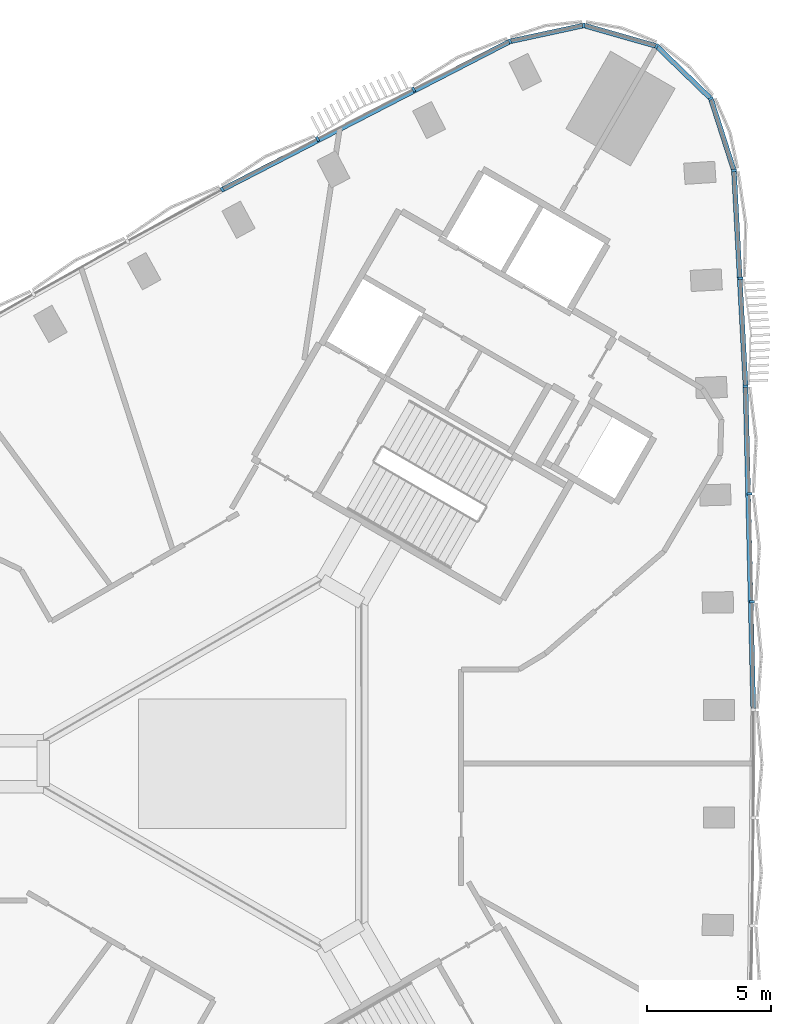
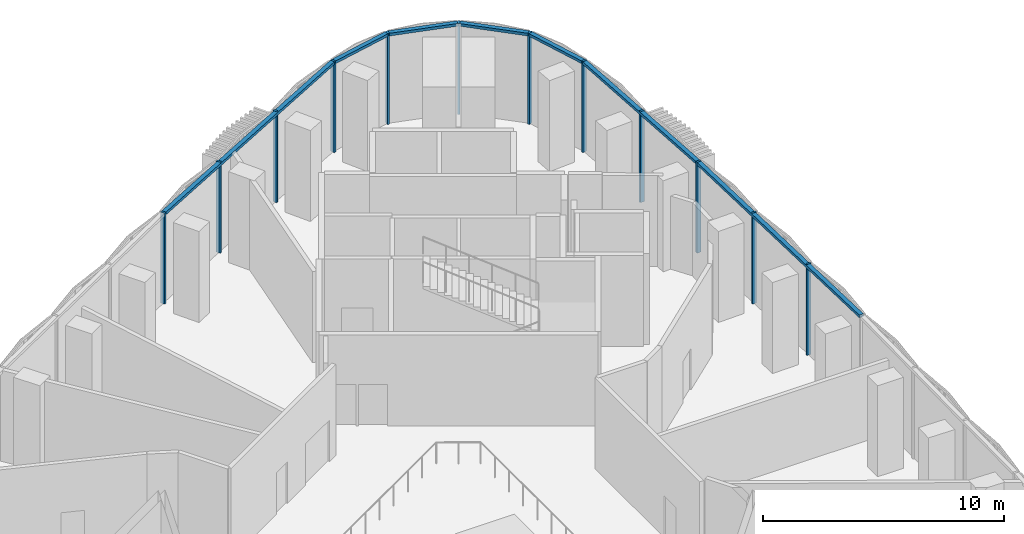
# One storey, part 5 of 17: 19 members, 2 elements without a shape of their own.
"""IFC4 building model written with IfcOpenShell, lengths in metres."""

from ifc_helpers import new_model, si_unit, direction, frame, origin, origin_2d, place, context, subcontext, project, spatial, rectangle, extrude, material, material_profile, profile_set, type_object, element, aggregate, save


model = new_model("IFC4")

# Units and contexts
model_context = context("Model", 3, precision=1e-05, world=origin(), true_north=direction((0.0, 1.0)))
body_context = subcontext(model_context, "Body", "Model", "MODEL_VIEW")
ifc_project = project(units=[si_unit("LENGTHUNIT", "METRE"), si_unit("AREAUNIT", "SQUARE_METRE"), si_unit("VOLUMEUNIT", "CUBIC_METRE"), si_unit("PLANEANGLEUNIT", "RADIAN"), si_unit("MASSUNIT", "GRAM", prefix="KILO")], contexts=[model_context])

# Site, building, storey
site_placement = place(None, origin())
site = spatial("IfcSite", under=ifc_project, at=site_placement, CompositionType="ELEMENT")
building_placement = place(site_placement, origin())
building = spatial("IfcBuilding", under=site, at=building_placement, Name="Tamra Quay Hotel Tower", CompositionType="ELEMENT")
storey_placement = place(building_placement, frame((0.0, 0.0, 123.800048828125)))
storey = spatial("IfcBuildingStorey", under=building, at=storey_placement, Name="L30", CompositionType="ELEMENT", Elevation=123.800048828125)

# Curtain wall, members
ifc_material = material(Name="Aluminium 6063 anodised dark grey", Category="aluminium")
curtain_wall_type_1 = type_object("IfcCurtainWallType", Name="CW1 CURTAIN WALL", PredefinedType="NOTDEFINED", material=ifc_material)
curtain_wall_1_placement = place(storey_placement, origin())
curtain_wall_1 = element("IfcCurtainWall", 1, at=curtain_wall_1_placement, inside=storey, type_object=curtain_wall_type_1, Name="CW1 east face L30", PredefinedType="NOTDEFINED")
ifc_material_profile_1 = material_profile(ifc_material, rectangle(XDim=0.199951171875, YDim=0.10009765625, at=origin_2d()), Name="MULLION 100X200")
ifc_profile_set_1 = profile_set([ifc_material_profile_1], Name="Aluminium 6063 anodised dark grey")
member_type_1 = type_object("IfcMemberType", Name="MULLION CW1 Z3", PredefinedType="MULLION", material=ifc_profile_set_1)
member_1_placement = place(storey_placement, frame((20.493896484375, 6.5078125, 0.0), z_axis=(0.0, 0.0, 1.0), x_axis=(0.999839298268, 0.017927008656, 0.0)))
member_1 = element("IfcMember", 2, at=member_1_placement, type_object=member_type_1, Name="CW1 mullion L30.E.8", PredefinedType="MULLION", context=body_context, shape_type="SweptSolid", body=[
    extrude(rectangle(XDim=0.199951171875, YDim=0.10009765625, at=origin_2d()), origin(), (0.0, 0.0, 1.0), 4.599853515625),
])
member_2_placement = place(storey_placement, frame((20.39013671875, 10.845947265625, 0.0), z_axis=(0.0, 0.0, 1.0), x_axis=(0.999553760095, 0.029871067595, 0.0)))
member_2 = element("IfcMember", 3, at=member_2_placement, type_object=member_type_1, Name="CW1 mullion L30.E.9", PredefinedType="MULLION", context=body_context, shape_type="SweptSolid", body=[
    extrude(rectangle(XDim=0.199951171875, YDim=0.10009765625, at=origin_2d()), origin(), (0.0, 0.0, 1.0), 4.599853515625),
])
member_3_placement = place(storey_placement, frame((20.234619140625, 15.182373046875, 0.0), z_axis=(0.0, 0.0, 1.0), x_axis=(0.999126139254, 0.041796624973, 0.0)))
member_3 = element("IfcMember", 4, at=member_3_placement, type_object=member_type_1, Name="CW1 mullion L30.E.10", PredefinedType="MULLION", context=body_context, shape_type="SweptSolid", body=[
    extrude(rectangle(XDim=0.199951171875, YDim=0.10009765625, at=origin_2d()), origin(), (0.0, 0.0, 1.0), 4.599853515625),
])
member_4_placement = place(storey_placement, frame((20.027587890625, 19.51611328125, 0.0), z_axis=(0.0, 0.0, 1.0), x_axis=(0.998557358413, 0.053695455667, 0.0)))
member_4 = element("IfcMember", 5, at=member_4_placement, type_object=member_type_1, Name="CW1 mullion L30.E.11", PredefinedType="MULLION", context=body_context, shape_type="SweptSolid", body=[
    extrude(rectangle(XDim=0.199951171875, YDim=0.10009765625, at=origin_2d()), origin(), (0.0, 0.0, 1.0), 4.599853515625),
])
member_5_placement = place(storey_placement, frame((19.768798828125, 23.84716796875, 0.0), z_axis=(0.0, 0.0, 1.0), x_axis=(0.982883182456, 0.184229882605, 0.0)))
member_5 = element("IfcMember", 6, at=member_5_placement, type_object=member_type_1, Name="CW1 mullion L30.E.12", PredefinedType="MULLION", context=body_context, shape_type="SweptSolid", body=[
    extrude(rectangle(XDim=0.199951171875, YDim=0.10009765625, at=origin_2d()), origin(), (0.0, 0.0, 1.0), 4.599853515625),
])
member_6_placement = place(storey_placement, frame((18.839599609375, 26.73876953125, 0.0), z_axis=(0.0, 0.0, 1.0), x_axis=(0.849197833806, 0.52807484229, 0.0)))
member_6 = element("IfcMember", 7, at=member_6_placement, type_object=member_type_1, Name="CW1 mullion L30.E.13", PredefinedType="MULLION", context=body_context, shape_type="SweptSolid", body=[
    extrude(rectangle(XDim=0.199951171875, YDim=0.10009765625, at=origin_2d()), origin(), (0.0, 0.0, 1.0), 4.599853515625),
])
member_7_placement = place(storey_placement, frame((16.6572265625, 28.85107421875, 0.0), z_axis=(0.0, 0.0, 1.0), x_axis=(0.5, 0.866025403784, 0.0)))
member_7 = element("IfcMember", 8, at=member_7_placement, type_object=member_type_1, Name="CW1 mullion L30.E.14", PredefinedType="MULLION", context=body_context, shape_type="SweptSolid", body=[
    extrude(rectangle(XDim=0.199951171875, YDim=0.10009765625, at=origin_2d()), origin(), (0.0, 0.0, 1.0), 4.599853515625),
])
member_8_placement = place(storey_placement, frame((13.736572265625, 29.68505859375, 0.0), z_axis=(0.0, 0.0, 1.0), x_axis=(0.032727311619, 0.99946431806, 0.0)))
member_8 = element("IfcMember", 9, at=member_8_placement, type_object=member_type_1, Name="CW1 mullion L30.E.15", PredefinedType="MULLION", context=body_context, shape_type="SweptSolid", body=[
    extrude(rectangle(XDim=0.199951171875, YDim=0.10009765625, at=origin_2d()), origin(), (0.0, 0.0, 1.0), 4.599853515625),
])

curtain_wall_type_2 = type_object("IfcCurtainWallType", Name="CW2 CURTAIN WALL", PredefinedType="NOTDEFINED", material=ifc_material)
curtain_wall_2_placement = place(storey_placement, origin())
curtain_wall_2 = element("IfcCurtainWall", 10, at=curtain_wall_2_placement, inside=storey, type_object=curtain_wall_type_2, Name="CW2 north-west face L30", PredefinedType="NOTDEFINED")
ifc_material_profile_2 = material_profile(ifc_material, rectangle(XDim=0.199951171875, YDim=0.10009765625, at=origin_2d()), Name="MULLION 100X200")
ifc_profile_set_2 = profile_set([ifc_material_profile_2], Name="Aluminium 6063 anodised dark grey")
member_type_2 = type_object("IfcMemberType", Name="MULLION CW2 Z3", PredefinedType="MULLION", material=ifc_profile_set_2)
member_9_placement = place(storey_placement, frame((10.767822265625, 29.043701171875, 0.0), z_axis=(0.0, 0.0, 1.0), x_axis=(-0.331893832756, 0.943316746262, 0.0)))
member_9 = element("IfcMember", 11, at=member_9_placement, type_object=member_type_2, Name="CW2 mullion L30.NW.1", PredefinedType="MULLION", context=body_context, shape_type="SweptSolid", body=[
    extrude(rectangle(XDim=0.199951171875, YDim=0.10009765625, at=origin_2d()), origin(), (0.0, 0.0, 1.0), 4.599853515625),
])
member_10_placement = place(storey_placement, frame((6.8876953125, 27.102294921875, 0.0), z_axis=(0.0, 0.0, 1.0), x_axis=(-0.452777050531, 0.891623767355, 0.0)))
member_10 = element("IfcMember", 12, at=member_10_placement, type_object=member_type_2, Name="CW2 mullion L30.NW.2", PredefinedType="MULLION", context=body_context, shape_type="SweptSolid", body=[
    extrude(rectangle(XDim=0.199951171875, YDim=0.10009765625, at=origin_2d()), origin(), (0.0, 0.0, 1.0), 4.599853515625),
])
member_11_placement = place(storey_placement, frame((3.031005859375, 25.114990234375, 0.0), z_axis=(0.0, 0.0, 1.0), x_axis=(-0.463366130608, 0.886166930666, 0.0)))
member_11 = element("IfcMember", 13, at=member_11_placement, type_object=member_type_2, Name="CW2 mullion L30.NW.3", PredefinedType="MULLION", context=body_context, shape_type="SweptSolid", body=[
    extrude(rectangle(XDim=0.199951171875, YDim=0.10009765625, at=origin_2d()), origin(), (0.0, 0.0, 1.0), 4.599853515625),
])
member_12_placement = place(storey_placement, frame((-0.80224609375, 23.081298828125, 0.0), z_axis=(0.0, 0.0, 1.0), x_axis=(-0.473907776672, 0.880574482488, 0.0)))
member_12 = element("IfcMember", 14, at=member_12_placement, type_object=member_type_2, Name="CW2 mullion L30.NW.4", PredefinedType="MULLION", context=body_context, shape_type="SweptSolid", body=[
    extrude(rectangle(XDim=0.199951171875, YDim=0.10009765625, at=origin_2d()), origin(), (0.0, 0.0, 1.0), 4.599853515625),
])

# Member
ifc_material_profile_3 = material_profile(ifc_material, rectangle(XDim=0.199951171875, YDim=0.139892578125, at=origin_2d()), Name="TRANSOM 200X140")
ifc_profile_set_3 = profile_set([ifc_material_profile_3], Name="Aluminium 6063 anodised dark grey")
member_type_3 = type_object("IfcMemberType", Name="TRANSOM CW1 Z3", PredefinedType="USERDEFINED", material=ifc_profile_set_3)
member_13_placement = place(storey_placement, frame((20.545166015625, 2.2197265625, 4.530029296875), z_axis=(-0.02391072667, 0.999714097705, 0.0), x_axis=(-0.999714097705, -0.02391072667, 0.0)))
member_13 = element("IfcMember", 15, at=member_13_placement, type_object=member_type_3, Name="CW1 transom L30.E.7", ObjectType="TRANSOM", PredefinedType="USERDEFINED", context=body_context, shape_type="SweptSolid", body=[
    extrude(rectangle(XDim=0.199951171875, YDim=0.139892578125, at=origin_2d()), origin(), (0.0, 0.0, 1.0), 12.916259765625),
])

member_14_placement = place(storey_placement, frame((20.232177734375, 15.232421875, 4.530029296875), z_axis=(-0.053682244957, 0.998558068705, 0.0), x_axis=(-0.998558068705, -0.053682244957, 0.0)))
member_14 = element("IfcMember", 16, at=member_14_placement, type_object=member_type_3, Name="CW1 transom L30.E.10", ObjectType="TRANSOM", PredefinedType="USERDEFINED", context=body_context, shape_type="SweptSolid", body=[
    extrude(rectangle(XDim=0.199951171875, YDim=0.139892578125, at=origin_2d()), origin(), (0.0, 0.0, 1.0), 8.577392578125),
])

member_15_placement = place(storey_placement, frame((19.75341796875, 23.894775390625, 4.530029296875), z_axis=(-0.305885409164, 0.952068336024, 0.0), x_axis=(-0.952068336024, -0.305885409164, 0.0)))
member_15 = element("IfcMember", 17, at=member_15_placement, type_object=member_type_3, Name="CW1 transom L30.E.12", ObjectType="TRANSOM", PredefinedType="USERDEFINED", context=body_context, shape_type="SweptSolid", body=[
    extrude(rectangle(XDim=0.199951171875, YDim=0.139892578125, at=origin_2d()), origin(), (0.0, 0.0, 1.0), 2.937255859375),
])

member_16_placement = place(storey_placement, frame((18.8037109375, 26.7734375, 4.530029296875), z_axis=(-0.718565963149, 0.695458810141, 0.0), x_axis=(-0.695458810141, -0.718565963149, 0.0)))
member_16 = element("IfcMember", 18, at=member_16_placement, type_object=member_type_3, Name="CW1 transom L30.E.13", ObjectType="TRANSOM", PredefinedType="USERDEFINED", context=body_context, shape_type="SweptSolid", body=[
    extrude(rectangle(XDim=0.199951171875, YDim=0.139892578125, at=origin_2d()), origin(), (0.0, 0.0, 1.0), 2.937255859375),
])

member_17_placement = place(storey_placement, frame((16.609130859375, 28.86474609375, 4.530029296875), z_axis=(-0.961577249686, 0.274534502179, 0.0), x_axis=(-0.274534502179, -0.961577249686, 0.0)))
member_17 = element("IfcMember", 19, at=member_17_placement, type_object=member_type_3, Name="CW1 transom L30.E.14", ObjectType="TRANSOM", PredefinedType="USERDEFINED", context=body_context, shape_type="SweptSolid", body=[
    extrude(rectangle(XDim=0.199951171875, YDim=0.139892578125, at=origin_2d()), origin(), (0.0, 0.0, 1.0), 2.937255859375),
])

member_18_placement = place(storey_placement, frame((13.687744140625, 29.67431640625, 4.530029296875), z_axis=(-0.977477692928, -0.211038763805, 0.0), x_axis=(0.211038763805, -0.977477692928, 0.0)))
member_18 = element("IfcMember", 20, at=member_18_placement, type_object=member_type_3, Name="CW1 transom L30.E.15", ObjectType="TRANSOM", PredefinedType="USERDEFINED", context=body_context, shape_type="SweptSolid", body=[
    extrude(rectangle(XDim=0.199951171875, YDim=0.139892578125, at=origin_2d()), origin(), (0.0, 0.0, 1.0), 2.937255859375),
])

aggregate(curtain_wall_1, [member_13, member_1, member_2, member_3, member_14, member_4, member_5, member_15, member_6, member_16, member_7, member_17, member_8, member_18])

ifc_material_profile_4 = material_profile(ifc_material, rectangle(XDim=0.199951171875, YDim=0.139892578125, at=origin_2d()), Name="TRANSOM 200X140")
ifc_profile_set_4 = profile_set([ifc_material_profile_4], Name="Aluminium 6063 anodised dark grey")
member_type_4 = type_object("IfcMemberType", Name="TRANSOM CW2 Z3", PredefinedType="USERDEFINED", material=ifc_profile_set_4)
member_19_placement = place(storey_placement, frame((10.72314453125, 29.021484375, 4.530029296875), z_axis=(-0.888905522389, -0.45809057212, 0.0), x_axis=(0.45809057212, -0.888905522389, 0.0)))
member_19 = element("IfcMember", 21, at=member_19_placement, type_object=member_type_4, Name="CW2 transom L30.NW.1", ObjectType="TRANSOM", PredefinedType="USERDEFINED", context=body_context, shape_type="SweptSolid", body=[
    extrude(rectangle(XDim=0.199951171875, YDim=0.139892578125, at=origin_2d()), origin(), (0.0, 0.0, 1.0), 12.916015625),
])

aggregate(curtain_wall_2, [member_9, member_19, member_10, member_11, member_12])

save(model, "model.ifc")
